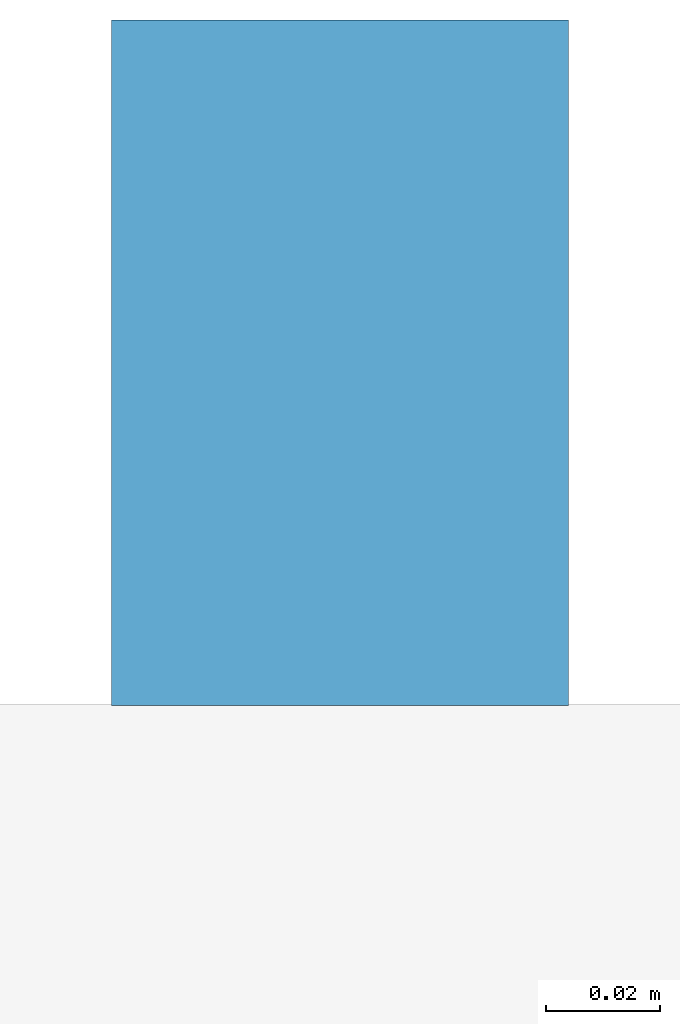
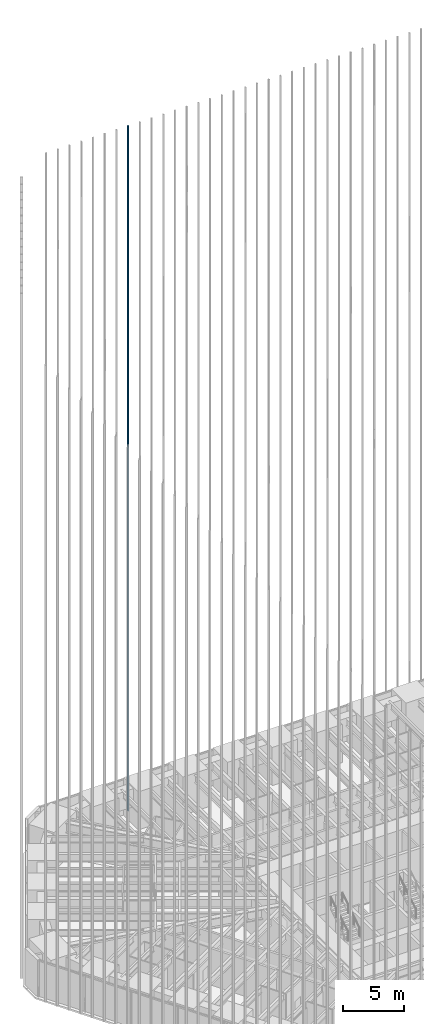
# One storey, part 174 of 256: 1 member, 1 element without a shape of its own.
"""IFC4 building model written with IfcOpenShell, lengths in metres."""

from ifc_helpers import new_model, si_unit, direction, frame, origin, origin_2d, place, context, subcontext, project, spatial, rectangle, extrude, material, material_profile, profile_set, type_object, element, aggregate, save


model = new_model("IFC4")

# Units and contexts
model_context = context("Model", 3, precision=1e-05, world=origin(), true_north=direction((0.0, 1.0)))
body_context = subcontext(model_context, "Body", "Model", "MODEL_VIEW")
ifc_project = project(units=[si_unit("LENGTHUNIT", "METRE"), si_unit("AREAUNIT", "SQUARE_METRE"), si_unit("VOLUMEUNIT", "CUBIC_METRE"), si_unit("PLANEANGLEUNIT", "RADIAN"), si_unit("MASSUNIT", "GRAM", prefix="KILO")], contexts=[model_context])

# Site, building, storey
site_placement = place(None, origin())
site = spatial("IfcSite", under=ifc_project, at=site_placement, CompositionType="ELEMENT")
building_placement = place(site_placement, origin())
building = spatial("IfcBuilding", under=site, at=building_placement, Name="Sandreach Pilgrim Tower", CompositionType="ELEMENT")
storey_placement = place(building_placement, frame((0.0, 0.0, 23.0)))
storey = spatial("IfcBuildingStorey", under=building, at=storey_placement, Name="L04", CompositionType="ELEMENT", Elevation=23.0)

# Curtain wall, member
ifc_material_1 = material(Name="Aluminium framed curtain wall", Category="aluminium")
curtain_wall_type = type_object("IfcCurtainWallType", Name="Hostel tower curtain wall", PredefinedType="NOTDEFINED", material=ifc_material_1)
curtain_wall_placement = place(storey_placement, origin())
curtain_wall = element("IfcCurtainWall", 1, at=curtain_wall_placement, inside=storey, type_object=curtain_wall_type, Name="CW-1 L04 N", PredefinedType="NOTDEFINED")
ifc_material_2 = material(Name="Extruded terracotta on aluminium core", Category="masonry")
ifc_material_profile = material_profile(ifc_material_2, rectangle(XDim=0.080078125, YDim=0.1201171875, at=origin_2d()), Name="TBN 80X120")
ifc_profile_set = profile_set([ifc_material_profile], Name="Extruded terracotta on aluminium core")
member_type = type_object("IfcMemberType", Name="Terracotta baguette north", PredefinedType="USERDEFINED", material=ifc_profile_set)
member_placement = place(storey_placement, frame((-11.04443359375, 24.30859375, 0.0), z_axis=(0.0, 0.0, 1.0), x_axis=(1.0, 0.0, 0.0)))
member = element("IfcMember", 2, at=member_placement, type_object=member_type, Name="Baguette Z1 N08", ObjectType="BAGUETTE", PredefinedType="USERDEFINED", context=body_context, shape_type="SweptSolid", body=[
    extrude(rectangle(XDim=0.080078125, YDim=0.1201171875, at=origin_2d()), origin(), (0.0, 0.0, 1.0), 68.239990234375),
])
aggregate(curtain_wall, [member])

save(model, "model.ifc")
